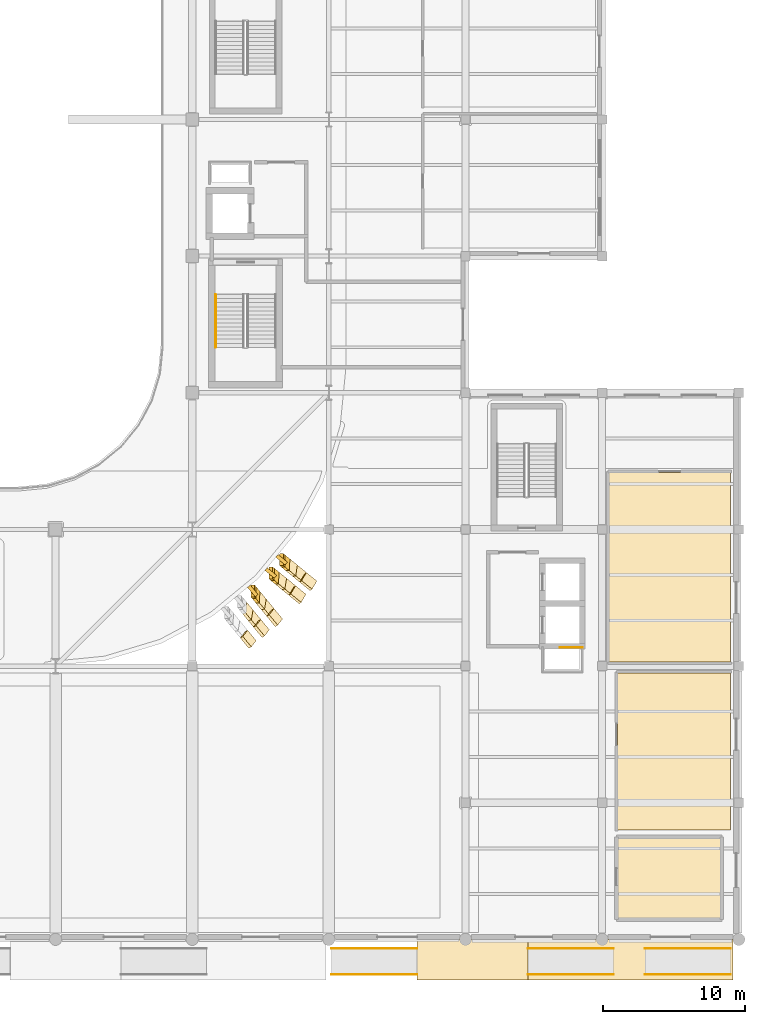
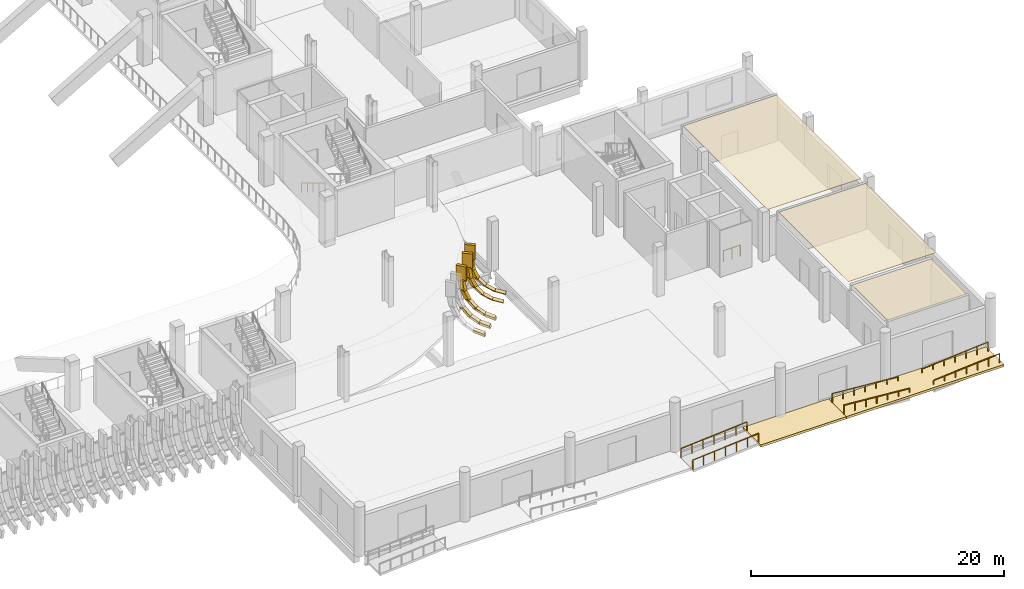
# One storey, part 91 of 100: 27 coverings, 8 railings.
"""IFC4 building model written with IfcOpenShell, lengths in metres."""

from ifc_helpers import new_model, si_unit, direction, frame, origin, origin_2d, place, context, subcontext, project, spatial, polyline, rectangle, circle, outline, extrude, material, layer, layer_set, material_profile, profile_set, type_object, element, save


model = new_model("IFC4")

# Units and contexts
model_context = context("Model", 3, precision=1e-05, world=origin(), true_north=direction((0.0, 1.0)))
body_context = subcontext(model_context, "Body", "Model", "MODEL_VIEW")
ifc_project = project(units=[si_unit("LENGTHUNIT", "METRE"), si_unit("AREAUNIT", "SQUARE_METRE"), si_unit("VOLUMEUNIT", "CUBIC_METRE"), si_unit("PLANEANGLEUNIT", "RADIAN"), si_unit("MASSUNIT", "GRAM", prefix="KILO")], contexts=[model_context])

# Site, building, storey
site_placement = place(None, origin())
site = spatial("IfcSite", under=ifc_project, at=site_placement, CompositionType="ELEMENT")
building_placement = place(site_placement, origin())
building = spatial("IfcBuilding", under=site, at=building_placement, Name="Caelomonte Colonnade Arena", CompositionType="ELEMENT")
storey_placement = place(building_placement, origin())
storey = spatial("IfcBuildingStorey", under=building, at=storey_placement, Name="L00", CompositionType="ELEMENT", Elevation=0.0)

# Coverings
ifc_material_1 = material(Name="Travertine colonnade arrival paving", Category="masonry")
ifc_layer_1 = layer(ifc_material_1, 0.0400390625)
ifc_layer_set_1 = layer_set([ifc_layer_1], Name="Travertine colonnade arrival paving")
covering_type_1 = type_object("IfcCoveringType", Name="ENV-CV-PAV25", PredefinedType="FLOORING", material=ifc_layer_set_1)
covering_1_placement = place(storey_placement, frame((0.0, 0.0, -0.219970703125)))
element("IfcCovering", 1, at=covering_1_placement, inside=storey, type_object=covering_type_1, Name="Portico forecourt accessible landing 3", PredefinedType="FLOORING", context=body_context, shape_type="SweptSolid", body=[
    extrude(outline(polyline([(169.39990234375, -2.85009765625), (177.199951171875, -2.85009765625), (177.199951171875, -0.02001953125), (169.39990234375, -0.02001953125), (169.39990234375, -2.85009765625)])), origin(), (0.0, 0.0, 1.0), 0.219970703125),
])
covering_2_placement = place(storey_placement, frame((0.0, 0.0, -0.219970703125)))
element("IfcCovering", 2, at=covering_2_placement, inside=storey, type_object=covering_type_1, Name="Portico forecourt accessible landing 4", PredefinedType="FLOORING", context=body_context, shape_type="SweptSolid", body=[
    extrude(outline(polyline([(177.199951171875, -2.85009765625), (191.60009765625, -2.85009765625), (191.60009765625, -0.02001953125), (177.199951171875, -0.02001953125), (177.199951171875, -2.85009765625)])), origin(), (0.0, 0.0, 1.0), 0.219970703125),
])
ifc_material_2 = material(Name="Precast travertine cladding", Category="masonry")
ifc_material_profile = material_profile(ifc_material_2, rectangle(XDim=0.260009765625, YDim=0.85009765625, at=origin_2d()), Name="FIN260X850")
ifc_profile_set = profile_set([ifc_material_profile], Name="Precast travertine cladding")
covering_type_2 = type_object("IfcCoveringType", Name="ENV-FN-SKIRT", PredefinedType="CLADDING", material=ifc_profile_set)
covering_3_placement = place(storey_placement, frame((157.234375, 21.451416015625, 0.6123046875), z_axis=(0.623169588637, -0.759313636277, -0.187356519936), x_axis=(-0.672931937109, -0.398509912609, -0.623179314139)))
element("IfcCovering", 3, at=covering_3_placement, inside=storey, type_object=covering_type_2, Name="V1 L00 splayed classical fin skirt chord 5 (10)", PredefinedType="CLADDING", context=body_context, shape_type="SweptSolid", body=[
    extrude(rectangle(XDim=0.260009765625, YDim=0.85009765625, at=origin_2d()), origin(), (0.0, 0.0, 1.0), 0.962890625),
])
for number, where, z_axis, x_axis, name in (
    (4, (157.25341796875, 23.319580078125, 1.733154296875), (0.440592785207, -0.536995164817, -0.719384591569), (-0.887077861354, -0.13748356392, -0.440671235216), "V1 L00 splayed classical fin skirt chord 3 (11)"),
    (5, (157.652587890625, 22.833251953125, 1.061767578125), (0.558036961483, -0.680107546807, -0.475445553555), (-0.788909297872, -0.257141420872, -0.558122217264), "V1 L00 splayed classical fin skirt chord 4 (11)"),
):
    element("IfcCovering", number, at=place(storey_placement, frame(where, z_axis=z_axis, x_axis=x_axis)), inside=storey, type_object=covering_type_2, Name=name, PredefinedType="CLADDING", context=body_context, shape_type="SweptSolid", body=[
        extrude(rectangle(XDim=0.260009765625, YDim=0.85009765625, at=origin_2d()), origin(), (0.0, 0.0, 1.0), 1.008056640625),
    ])
covering_4_placement = place(storey_placement, frame((158.162109375, 22.212646484375, 0.6123046875), z_axis=(0.623014479587, -0.759433604544, -0.187386121455), x_axis=(-0.673023354341, -0.398361107084, -0.623175731936)))
element("IfcCovering", 6, at=covering_4_placement, inside=storey, type_object=covering_type_2, Name="V1 L00 splayed classical fin skirt chord 5 (11)", PredefinedType="CLADDING", context=body_context, shape_type="SweptSolid", body=[
    extrude(rectangle(XDim=0.260009765625, YDim=0.85009765625, at=origin_2d()), origin(), (0.0, 0.0, 1.0), 0.962890625),
])
covering_5_placement = place(storey_placement, frame((157.852783203125, 24.480712890625, 3.360107421875), z_axis=(0.0, 0.0, 1.0), x_axis=(-0.77299384472, -0.634413521313, 0.0)))
element("IfcCovering", 7, at=covering_5_placement, inside=storey, type_object=covering_type_2, Name="V1 L00 upper classical fin stem 12", PredefinedType="CLADDING", context=body_context, shape_type="SweptSolid", body=[
    extrude(rectangle(XDim=0.260009765625, YDim=0.85009765625, at=origin_2d()), origin(), (0.0, 0.0, 1.0), 1.4599609375),
])
covering_6_placement = place(storey_placement, frame((157.848388671875, 24.486083984375, 3.474609375), z_axis=(0.097127335462, -0.11819984964, -0.988228251089), x_axis=(-0.99525848015, -0.006366466969, -0.097056817318)))
element("IfcCovering", 8, at=covering_6_placement, inside=storey, type_object=covering_type_2, Name="V1 L00 splayed classical fin skirt chord 1 (12)", PredefinedType="CLADDING", context=body_context, shape_type="SweptSolid", body=[
    extrude(rectangle(XDim=0.260009765625, YDim=0.85009765625, at=origin_2d()), origin(), (0.0, 0.0, 1.0), 1.008056640625),
])
covering_7_placement = place(storey_placement, frame((157.92919921875, 24.3876953125, 2.563232421875), z_axis=(0.281949634922, -0.343716951851, -0.895747207854), x_axis=(-0.958053286593, -0.050881063305, -0.282037262511)))
element("IfcCovering", 9, at=covering_7_placement, inside=storey, type_object=covering_type_2, Name="V1 L00 splayed classical fin skirt chord 2 (12)", PredefinedType="CLADDING", context=body_context, shape_type="SweptSolid", body=[
    extrude(rectangle(XDim=0.260009765625, YDim=0.85009765625, at=origin_2d()), origin(), (0.0, 0.0, 1.0), 1.0078125),
])
covering_8_placement = place(storey_placement, frame((158.180908203125, 24.0810546875, 1.733154296875), z_axis=(0.440592785207, -0.536995164817, -0.719384591569), x_axis=(-0.887077861354, -0.13748356392, -0.440671235216)))
element("IfcCovering", 10, at=covering_8_placement, inside=storey, type_object=covering_type_2, Name="V1 L00 splayed classical fin skirt chord 3 (12)", PredefinedType="CLADDING", context=body_context, shape_type="SweptSolid", body=[
    extrude(rectangle(XDim=0.260009765625, YDim=0.85009765625, at=origin_2d()), origin(), (0.0, 0.0, 1.0), 1.008056640625),
])
covering_9_placement = place(storey_placement, frame((158.580078125, 23.594482421875, 1.061767578125), z_axis=(0.558128890161, -0.679977341442, -0.47552387647), x_axis=(-0.788895895892, -0.257240809119, -0.558095360641)))
element("IfcCovering", 11, at=covering_9_placement, inside=storey, type_object=covering_type_2, Name="V1 L00 splayed classical fin skirt chord 4 (12)", PredefinedType="CLADDING", context=body_context, shape_type="SweptSolid", body=[
    extrude(rectangle(XDim=0.260009765625, YDim=0.85009765625, at=origin_2d()), origin(), (0.0, 0.0, 1.0), 1.0078125),
])
covering_10_placement = place(storey_placement, frame((159.089599609375, 22.973876953125, 0.6123046875), z_axis=(0.623289567494, -0.759206251049, -0.187392591692), x_axis=(-0.672881184706, -0.398602426451, -0.623174948868)))
element("IfcCovering", 12, at=covering_10_placement, inside=storey, type_object=covering_type_2, Name="V1 L00 splayed classical fin skirt chord 5 (12)", PredefinedType="CLADDING", context=body_context, shape_type="SweptSolid", body=[
    extrude(rectangle(XDim=0.260009765625, YDim=0.85009765625, at=origin_2d()), origin(), (0.0, 0.0, 1.0), 0.962890625),
])
covering_11_placement = place(storey_placement, frame((159.119140625, 25.747314453125, 3.360107421875), z_axis=(0.0, 0.0, 1.0), x_axis=(-0.634413521313, -0.77299384472, 0.0)))
element("IfcCovering", 13, at=covering_11_placement, inside=storey, type_object=covering_type_2, Name="V1 L00 upper classical fin stem 13", PredefinedType="CLADDING", context=body_context, shape_type="SweptSolid", body=[
    extrude(rectangle(XDim=0.260009765625, YDim=0.85009765625, at=origin_2d()), origin(), (0.0, 0.0, 1.0), 1.4599609375),
])
covering_12_placement = place(storey_placement, frame((159.114013671875, 25.751708984375, 3.474609375), z_axis=(0.117961010588, -0.097130113441, -0.988256515811), x_axis=(-0.992990994556, -0.004167381904, -0.118116542697)))
element("IfcCovering", 14, at=covering_12_placement, inside=storey, type_object=covering_type_2, Name="V1 L00 splayed classical fin skirt chord 1 (13)", PredefinedType="CLADDING", context=body_context, shape_type="SweptSolid", body=[
    extrude(rectangle(XDim=0.260009765625, YDim=0.85009765625, at=origin_2d()), origin(), (0.0, 0.0, 1.0), 1.0078125),
])
for number, where, z_axis, x_axis, name in (
    (15, (159.212158203125, 25.6708984375, 2.563232421875), (0.343693469961, -0.282172581046, -0.895686012625), (-0.937678846497, -0.050999551828, -0.343740347566), "V1 L00 splayed classical fin skirt chord 2 (13)"),
    (16, (159.51904296875, 25.4189453125, 1.733154296875), (0.536995164817, -0.440592785207, -0.719384591569), (-0.832306711864, -0.137734765107, -0.536930788712), "V1 L00 splayed classical fin skirt chord 3 (13)"),
):
    element("IfcCovering", number, at=place(storey_placement, frame(where, z_axis=z_axis, x_axis=x_axis)), inside=storey, type_object=covering_type_2, Name=name, PredefinedType="CLADDING", context=body_context, shape_type="SweptSolid", body=[
        extrude(rectangle(XDim=0.260009765625, YDim=0.85009765625, at=origin_2d()), origin(), (0.0, 0.0, 1.0), 1.008056640625),
    ])
covering_13_placement = place(storey_placement, frame((160.005615234375, 25.019775390625, 1.061767578125), z_axis=(0.679977341442, -0.558128890161, -0.47552387647), x_axis=(-0.686627978784, -0.257168052861, -0.680004861261)))
element("IfcCovering", 17, at=covering_13_placement, inside=storey, type_object=covering_type_2, Name="V1 L00 splayed classical fin skirt chord 4 (13)", PredefinedType="CLADDING", context=body_context, shape_type="SweptSolid", body=[
    extrude(rectangle(XDim=0.260009765625, YDim=0.85009765625, at=origin_2d()), origin(), (0.0, 0.0, 1.0), 1.0078125),
])
covering_14_placement = place(storey_placement, frame((160.626220703125, 24.510498046875, 0.6123046875), z_axis=(0.759206251049, -0.623289567494, -0.187392591692), x_axis=(-0.514511393456, -0.39842317493, -0.759300335627)))
element("IfcCovering", 18, at=covering_14_placement, inside=storey, type_object=covering_type_2, Name="V1 L00 splayed classical fin skirt chord 5 (13)", PredefinedType="CLADDING", context=body_context, shape_type="SweptSolid", body=[
    extrude(rectangle(XDim=0.260009765625, YDim=0.85009765625, at=origin_2d()), origin(), (0.0, 0.0, 1.0), 0.962890625),
])
covering_15_placement = place(storey_placement, frame((159.880615234375, 26.6748046875, 3.360107421875), z_axis=(0.0, 0.0, 1.0), x_axis=(-0.634413521313, -0.77299384472, 0.0)))
element("IfcCovering", 19, at=covering_15_placement, inside=storey, type_object=covering_type_2, Name="V1 L00 upper classical fin stem 14", PredefinedType="CLADDING", context=body_context, shape_type="SweptSolid", body=[
    extrude(rectangle(XDim=0.260009765625, YDim=0.85009765625, at=origin_2d()), origin(), (0.0, 0.0, 1.0), 1.4599609375),
])
for number, where, z_axis, x_axis, name in (
    (20, (159.875244140625, 26.67919921875, 3.474609375), (0.11819984964, -0.097127335462, -0.988228251089), (-0.992969417275, -0.005180578696, -0.11825776068), "V1 L00 splayed classical fin skirt chord 1 (14)"),
    (21, (159.973388671875, 26.598388671875, 2.563232421875), (0.343930533184, -0.281926155371, -0.895672613884), (-0.937631468445, -0.051724860589, -0.343761208076), "V1 L00 splayed classical fin skirt chord 2 (14)"),
    (22, (160.2802734375, 26.3466796875, 1.733154296875), (0.536995164817, -0.440592785207, -0.719384591569), (-0.832306711864, -0.137734765107, -0.536930788712), "V1 L00 splayed classical fin skirt chord 3 (14)"),
):
    element("IfcCovering", number, at=place(storey_placement, frame(where, z_axis=z_axis, x_axis=x_axis)), inside=storey, type_object=covering_type_2, Name=name, PredefinedType="CLADDING", context=body_context, shape_type="SweptSolid", body=[
        extrude(rectangle(XDim=0.260009765625, YDim=0.85009765625, at=origin_2d()), origin(), (0.0, 0.0, 1.0), 1.008056640625),
    ])
covering_16_placement = place(storey_placement, frame((160.766845703125, 25.947509765625, 1.061767578125), z_axis=(0.679977341442, -0.558128890161, -0.47552387647), x_axis=(-0.686627978784, -0.257168052861, -0.680004861261)))
element("IfcCovering", 23, at=covering_16_placement, inside=storey, type_object=covering_type_2, Name="V1 L00 splayed classical fin skirt chord 4 (14)", PredefinedType="CLADDING", context=body_context, shape_type="SweptSolid", body=[
    extrude(rectangle(XDim=0.260009765625, YDim=0.85009765625, at=origin_2d()), origin(), (0.0, 0.0, 1.0), 1.0078125),
])
covering_17_placement = place(storey_placement, frame((161.387451171875, 25.43798828125, 0.6123046875), z_axis=(0.759206251049, -0.623289567494, -0.187392591692), x_axis=(-0.514511393456, -0.39842317493, -0.759300335627)))
element("IfcCovering", 24, at=covering_17_placement, inside=storey, type_object=covering_type_2, Name="V1 L00 splayed classical fin skirt chord 5 (14)", PredefinedType="CLADDING", context=body_context, shape_type="SweptSolid", body=[
    extrude(rectangle(XDim=0.260009765625, YDim=0.85009765625, at=origin_2d()), origin(), (0.0, 0.0, 1.0), 0.962890625),
])

# Railings
ifc_material_3 = material(Name="Stainless steel tubular handrail", Category="steel")
railing_type_1 = type_object("IfcRailingType", Name="ENV-RL-HR1", PredefinedType="HANDRAIL", material=ifc_material_3)
for number, where, name in (
    (25, (163.39990234375, -2.469970703125, -0.489990234375), "Accessible ramp PR-03 handrail 1"),
    (26, (163.39990234375, -0.6298828125, -0.489990234375), "Accessible ramp PR-03 handrail 2"),
):
    element("IfcRailing", number, at=place(storey_placement, frame(where)), inside=storey, type_object=railing_type_1, Name=name, PredefinedType="HANDRAIL", context=body_context, shape_type="SweptSolid", body=[
        extrude(circle(Radius=0.02392578125, at=origin_2d()), frame((0.0, 0.0, 0.89599609375), z_axis=(0.99694637106, 0.0, 0.078089264498), x_axis=(0.0, 1.0, 0.0)), (0.0, 0.0, 1.0), 6.018310546875),
        extrude(circle(Radius=0.02099609375, at=origin_2d()), origin(), (0.0, 0.0, 1.0), 0.867919921875),
        extrude(circle(Radius=0.02099609375, at=origin_2d()), frame((1.0, 0.0, 0.078369140625)), (0.0, 0.0, 1.0), 0.867919921875),
        extrude(circle(Radius=0.02099609375, at=origin_2d()), frame((2.0, 0.0, 0.15673828125)), (0.0, 0.0, 1.0), 0.867919921875),
        extrude(circle(Radius=0.02099609375, at=origin_2d()), frame((3.0, 0.0, 0.23486328125)), (0.0, 0.0, 1.0), 0.867919921875),
        extrude(circle(Radius=0.02099609375, at=origin_2d()), frame((4.0, 0.0, 0.313232421875)), (0.0, 0.0, 1.0), 0.867919921875),
        extrude(circle(Radius=0.02099609375, at=origin_2d()), frame((5.0, 0.0, 0.3916015625)), (0.0, 0.0, 1.0), 0.867919921875),
        extrude(circle(Radius=0.02099609375, at=origin_2d()), frame((6.0, 0.0, 0.469970703125)), (0.0, 0.0, 1.0), 0.867919921875),
    ])
for number, where, name in (
    (27, (183.199951171875, -2.469970703125, -0.489990234375), "Accessible ramp PR-04 handrail 1"),
    (28, (183.199951171875, -0.6298828125, -0.489990234375), "Accessible ramp PR-04 handrail 2"),
):
    element("IfcRailing", number, at=place(storey_placement, frame(where)), inside=storey, type_object=railing_type_1, Name=name, PredefinedType="HANDRAIL", context=body_context, shape_type="SweptSolid", body=[
        extrude(circle(Radius=0.02392578125, at=origin_2d()), frame((0.0, 0.0, 0.89599609375), z_axis=(-0.99694637106, 0.0, 0.078089264498), x_axis=(0.0, -1.0, 0.0)), (0.0, 0.0, 1.0), 6.018310546875),
        extrude(circle(Radius=0.02099609375, at=origin_2d()), origin(), (0.0, 0.0, 1.0), 0.867919921875),
        extrude(circle(Radius=0.02099609375, at=origin_2d()), frame((-1.0, 0.0, 0.078369140625)), (0.0, 0.0, 1.0), 0.867919921875),
        extrude(circle(Radius=0.02099609375, at=origin_2d()), frame((-2.0, 0.0, 0.15673828125)), (0.0, 0.0, 1.0), 0.867919921875),
        extrude(circle(Radius=0.02099609375, at=origin_2d()), frame((-3.0, 0.0, 0.23486328125)), (0.0, 0.0, 1.0), 0.867919921875),
        extrude(circle(Radius=0.02099609375, at=origin_2d()), frame((-4.0, 0.0, 0.313232421875)), (0.0, 0.0, 1.0), 0.867919921875),
        extrude(circle(Radius=0.02099609375, at=origin_2d()), frame((-5.0, 0.0, 0.3916015625)), (0.0, 0.0, 1.0), 0.867919921875),
        extrude(circle(Radius=0.02099609375, at=origin_2d()), frame((-6.0, 0.0, 0.469970703125)), (0.0, 0.0, 1.0), 0.867919921875),
    ])
for number, where, name in (
    (29, (185.39990234375, -2.469970703125, -0.489990234375), "Accessible ramp PR-05 handrail 1"),
    (30, (185.39990234375, -0.6298828125, -0.489990234375), "Accessible ramp PR-05 handrail 2"),
):
    element("IfcRailing", number, at=place(storey_placement, frame(where)), inside=storey, type_object=railing_type_1, Name=name, PredefinedType="HANDRAIL", context=body_context, shape_type="SweptSolid", body=[
        extrude(circle(Radius=0.02392578125, at=origin_2d()), frame((0.0, 0.0, 0.89599609375), z_axis=(0.99694637106, 0.0, 0.078089264498), x_axis=(0.0, 1.0, 0.0)), (0.0, 0.0, 1.0), 6.018310546875),
        extrude(circle(Radius=0.02099609375, at=origin_2d()), origin(), (0.0, 0.0, 1.0), 0.867919921875),
        extrude(circle(Radius=0.02099609375, at=origin_2d()), frame((1.0, 0.0, 0.078369140625)), (0.0, 0.0, 1.0), 0.867919921875),
        extrude(circle(Radius=0.02099609375, at=origin_2d()), frame((2.0, 0.0, 0.15673828125)), (0.0, 0.0, 1.0), 0.867919921875),
        extrude(circle(Radius=0.02099609375, at=origin_2d()), frame((3.0, 0.0, 0.23486328125)), (0.0, 0.0, 1.0), 0.867919921875),
        extrude(circle(Radius=0.02099609375, at=origin_2d()), frame((4.0, 0.0, 0.313232421875)), (0.0, 0.0, 1.0), 0.867919921875),
        extrude(circle(Radius=0.02099609375, at=origin_2d()), frame((5.0, 0.0, 0.3916015625)), (0.0, 0.0, 1.0), 0.867919921875),
        extrude(circle(Radius=0.02099609375, at=origin_2d()), frame((6.0, 0.0, 0.469970703125)), (0.0, 0.0, 1.0), 0.867919921875),
    ])

# Coverings
ifc_material_4 = material(Name="Perforated acoustic mineral-fibre ceiling")
ifc_layer_2 = layer(ifc_material_4, 0.0400390625)
ifc_layer_set_2 = layer_set([ifc_layer_2], Name="Perforated acoustic mineral-fibre ceiling")
covering_type_3 = type_object("IfcCoveringType", Name="INT-CV-CEIL1", PredefinedType="CEILING", material=ifc_layer_set_2)
covering_18_placement = place(storey_placement, frame((0.0, 0.0, 4.419921875)))
element("IfcCovering", 31, at=covering_18_placement, inside=storey, type_object=covering_type_3, Name="L00 Fire Command Centre acoustic ceiling", PredefinedType="CEILING", context=body_context, shape_type="SweptSolid", body=[
    extrude(outline(polyline([(190.719970703125, 7.1201171875), (183.47998046875, 7.1201171875), (183.47998046875, 1.47998046875), (190.719970703125, 1.47998046875), (190.719970703125, 7.1201171875)])), origin(), (0.0, 0.0, 1.0), 0.0400390625),
])
covering_19_placement = place(storey_placement, frame((0.0, 0.0, 4.419921875)))
element("IfcCovering", 32, at=covering_19_placement, inside=storey, type_object=covering_type_3, Name="L00 Ticketing Hall acoustic ceiling", PredefinedType="CEILING", context=body_context, shape_type="SweptSolid", body=[
    extrude(outline(polyline([(191.419921875, 18.719970703125), (183.47998046875, 18.719970703125), (183.47998046875, 7.679931640625), (191.419921875, 7.679931640625), (191.419921875, 18.719970703125)])), origin(), (0.0, 0.0, 1.0), 0.0400390625),
])
covering_20_placement = place(storey_placement, frame((0.0, 0.0, 4.419921875)))
element("IfcCovering", 33, at=covering_20_placement, inside=storey, type_object=covering_type_3, Name="L00 VIP Accreditation Lounge acoustic ceiling", PredefinedType="CEILING", context=body_context, shape_type="SweptSolid", body=[
    extrude(outline(polyline([(191.419921875, 32.800048828125), (182.8798828125, 32.800048828125), (182.8798828125, 19.47998046875), (191.419921875, 19.47998046875), (191.419921875, 32.800048828125)])), origin(), (0.0, 0.0, 1.0), 0.0400390625),
])

# Railings
ifc_material_5 = material(Name="Painted galvanized steel stair guard", Category="steel")
railing_type_2 = type_object("IfcRailingType", Name="INT-RL-GRD", PredefinedType="GUARDRAIL", material=ifc_material_5)
railing_1_placement = place(storey_placement, frame((179.449951171875, 20.5, 0.0)))
element("IfcRailing", 34, at=railing_1_placement, inside=storey, type_object=railing_type_2, Name="Core C5 L00 riser opening guard", PredefinedType="GUARDRAIL", context=body_context, shape_type="SweptSolid", body=[
    extrude(circle(Radius=0.02392578125, at=origin_2d()), frame((0.0, 0.0, 1.076171875), z_axis=(1.0, 0.0, 0.0), x_axis=(0.0, 1.0, 0.0)), (0.0, 0.0, 1.0), 1.550048828125),
    extrude(circle(Radius=0.02099609375, at=origin_2d()), origin(), (0.0, 0.0, 1.0), 1.048095703125),
    extrude(circle(Radius=0.02099609375, at=origin_2d()), frame((0.77490234375, 0.0, 0.0)), (0.0, 0.0, 1.0), 1.048095703125),
    extrude(circle(Radius=0.02099609375, at=origin_2d()), frame((1.550048828125, 0.0, 0.0)), (0.0, 0.0, 1.0), 1.048095703125),
])
ifc_material_6 = material(Name="Brushed stainless steel stair handrail", Category="steel")
railing_type_3 = type_object("IfcRailingType", Name="INT-RL-HR", PredefinedType="HANDRAIL", material=ifc_material_6)
railing_2_placement = place(storey_placement, frame((155.25, 45.300048828125, 0.17138671875)))
element("IfcRailing", 35, at=railing_2_placement, inside=storey, type_object=railing_type_3, Name="L00 ST-02 stair handrail 1", PredefinedType="HANDRAIL", context=body_context, shape_type="SweptSolid", body=[
    extrude(circle(Radius=0.02392578125, at=origin_2d()), frame((0.0, 0.0, 0.8759765625), z_axis=(0.0, -0.856934400257, 0.515425487977), x_axis=(1.0, 0.0, 0.0)), (0.0, 0.0, 1.0), 4.32373046875),
    extrude(circle(Radius=0.02099609375, at=origin_2d()), origin(), (0.0, 0.0, 1.0), 0.847900390625),
    extrude(circle(Radius=0.02099609375, at=origin_2d()), frame((0.0, -0.92626953125, 0.55712890625)), (0.0, 0.0, 1.0), 0.847900390625),
    extrude(circle(Radius=0.02099609375, at=origin_2d()), frame((0.0, -1.8525390625, 1.1142578125)), (0.0, 0.0, 1.0), 0.847900390625),
    extrude(circle(Radius=0.02099609375, at=origin_2d()), frame((0.0, -2.77880859375, 1.67138671875)), (0.0, 0.0, 1.0), 0.847900390625),
    extrude(circle(Radius=0.02099609375, at=origin_2d()), frame((0.0, -3.705078125, 2.228515625)), (0.0, 0.0, 1.0), 0.847900390625),
])

save(model, "model.ifc")
